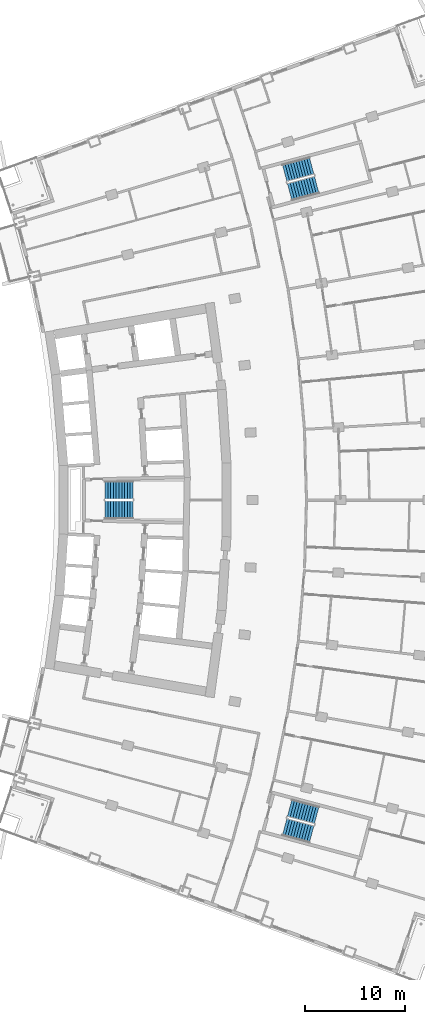
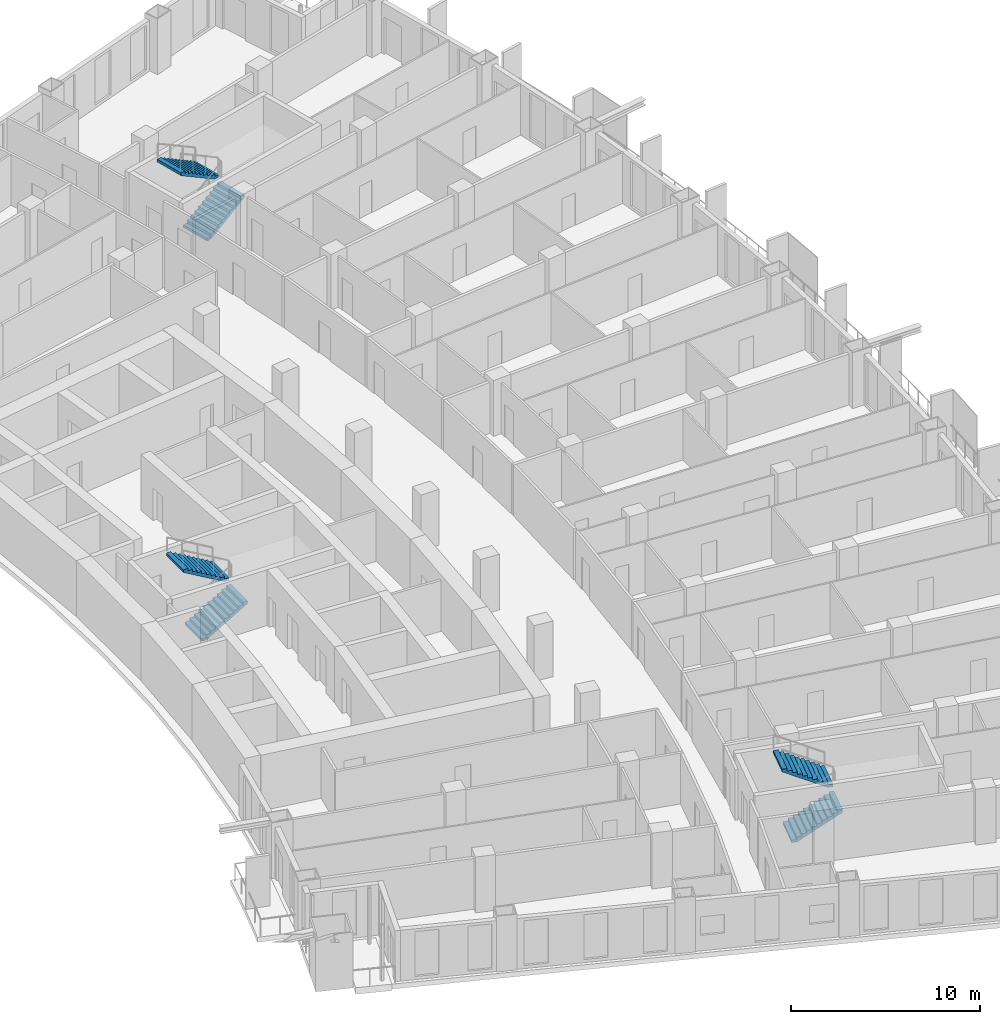
# One storey, part 20 of 23: 6 stair flights, 3 elements without a shape of their own.
"""IFC4 building model written with IfcOpenShell, lengths in metres."""

import ifcopenshell
import ifcopenshell.guid

model = None  # the IFC model being written
_history = None  # IfcOwnerHistory: only IFC2X3 demands one
_inside = {}  # id of a spatial element -> (the spatial element, [elements in it])
_under = {}  # id of a project, library or spatial element -> (it, [spatial elements below it])
_declared = {}  # id of a project -> (the project, [libraries it declares])
_typed = {}  # id of a type object -> (the type object, [elements of that type])
_made_of = {}  # id of a material, layer set ... -> (it, [elements and type objects made of it])


def new_model(schema):
    """Start an empty IFC model of exactly this schema.

    Asked for "IFC4X3", IfcOpenShell would pick the latest addendum, in which some entities
    have other attributes; the version numbers below select the first issue.
    IFC2X3 requires an IfcOwnerHistory on every rooted entity: one is made here for all.
    """
    global model, _history
    if schema == "IFC4X3":
        model = ifcopenshell.file(schema_version=(4, 3, 0, 0))
    else:
        model = ifcopenshell.file(schema=schema)
    _inside.clear()
    _under.clear()
    _declared.clear()
    _typed.clear()
    _made_of.clear()
    _history = None
    if model.schema == "IFC2X3":
        org = make("IfcOrganization", Name="unknown")
        user = make(
            "IfcPersonAndOrganization",
            ThePerson=make("IfcPerson", FamilyName="unknown"),
            TheOrganization=org,
        )
        app = make(
            "IfcApplication",
            ApplicationDeveloper=org,
            Version="unknown",
            ApplicationFullName="unknown",
            ApplicationIdentifier="unknown",
        )
        _history = make(
            "IfcOwnerHistory",
            OwningUser=user,
            OwningApplication=app,
            ChangeAction="ADDED",
            CreationDate=0,
        )
    return model


def make(cls, **values):
    """One entity of the class cls with the attributes given. An attribute that is None is left unset."""
    return model.create_entity(
        cls, **{name: value for name, value in values.items() if value is not None}
    )


def rooted(cls, **values):
    """An entity with a GlobalId (a new one), such as an element, a storey or a relation."""
    return make(cls, GlobalId=ifcopenshell.guid.new(), OwnerHistory=_history, **values)


def si_unit(unit_type, name, prefix=None):
    """IfcSIUnit, for example si_unit("LENGTHUNIT", "METRE", prefix="MILLI")."""
    return make("IfcSIUnit", UnitType=unit_type, Prefix=prefix, Name=name)


def assignment(units):
    """IfcUnitAssignment: the units of a project."""
    return None if units is None else make("IfcUnitAssignment", Units=units)


def point(xyz):
    """IfcCartesianPoint."""
    return None if xyz is None else make("IfcCartesianPoint", Coordinates=xyz)


def direction(xyz):
    """IfcDirection."""
    return None if xyz is None else make("IfcDirection", DirectionRatios=xyz)


def frame(location, z_axis=None, x_axis=None):
    """IfcAxis2Placement3D, a coordinate frame: its origin and axes. An axis left out is left unset."""
    return make(
        "IfcAxis2Placement3D",
        Location=point(location),
        Axis=direction(z_axis),
        RefDirection=direction(x_axis),
    )


def origin():
    """The frame at (0, 0, 0) with its axes left unset."""
    return frame((0.0, 0.0, 0.0))


def place(relative_to, where):
    """IfcLocalPlacement: puts the frame where relative to a parent placement (None: the world)."""
    return make(
        "IfcLocalPlacement", PlacementRelTo=relative_to, RelativePlacement=where
    )


def context(
    kind, dimensions, precision=None, world=None, true_north=None, identifier=None
):
    """IfcGeometricRepresentationContext, for example the 3D "Model" context."""
    return make(
        "IfcGeometricRepresentationContext",
        ContextIdentifier=identifier,
        ContextType=kind,
        CoordinateSpaceDimension=dimensions,
        Precision=precision,
        WorldCoordinateSystem=world,
        TrueNorth=true_north,
    )


def subcontext(parent, identifier, kind, view, scale=None):
    """IfcGeometricRepresentationSubContext, for example "Body" below "Model"."""
    return make(
        "IfcGeometricRepresentationSubContext",
        ContextIdentifier=identifier,
        ContextType=kind,
        ParentContext=parent,
        TargetScale=scale,
        TargetView=view,
    )


def project(units=None, contexts=None):
    """IfcProject with its units and contexts."""
    return rooted(
        "IfcProject",
        Name="project",
        RepresentationContexts=contexts,
        UnitsInContext=assignment(units),
    )


def spatial(cls, under=None, at=None, **own):
    """A site, building, storey or space (cls), placed at a placement, below another one or the project."""
    s = rooted(cls, ObjectPlacement=at, **own)
    if under is not None:
        _under.setdefault(under.id(), (under, []))[1].append(s)
    return s


def polyline(points):
    """IfcPolyline through the points."""
    return make("IfcPolyline", Points=[point(p) for p in points])


def outline(outer, holes=None, kind="AREA"):
    """IfcArbitraryClosedProfileDef: a profile drawn as a closed curve; with holes, ...WithVoids."""
    if holes is None:
        return make("IfcArbitraryClosedProfileDef", ProfileType=kind, OuterCurve=outer)
    return make(
        "IfcArbitraryProfileDefWithVoids",
        ProfileType=kind,
        OuterCurve=outer,
        InnerCurves=holes,
    )


def extrude(swept, where, along, depth):
    """IfcExtrudedAreaSolid: the profile swept, set in the frame where, extruded along a direction by depth."""
    return make(
        "IfcExtrudedAreaSolid",
        SweptArea=swept,
        Position=where,
        ExtrudedDirection=direction(along),
        Depth=depth,
    )


def shape(context_of_items, identifier, shape_type, items):
    """IfcShapeRepresentation: the items that make up one representation, for example the "Body"."""
    return make(
        "IfcShapeRepresentation",
        ContextOfItems=context_of_items,
        RepresentationIdentifier=identifier,
        RepresentationType=shape_type,
        Items=items,
    )


def material(Name=None, Category=None):
    """IfcMaterial."""
    return make("IfcMaterial", Name=Name, Category=Category)


def layer(
    of_material, thickness, ventilated=None, Name=None, Category=None, Priority=None
):
    """IfcMaterialLayer: one layer of a wall or slab, of a material (None: an air gap)."""
    return make(
        "IfcMaterialLayer",
        Material=of_material,
        LayerThickness=thickness,
        IsVentilated=ventilated,
        Name=Name,
        Category=Category,
        Priority=Priority,
    )


def layer_set(layers, Name=None):
    """IfcMaterialLayerSet."""
    return make("IfcMaterialLayerSet", MaterialLayers=layers, LayerSetName=Name)


def made_of(thing, what):
    """Note that an element or type object is made of a material, layer set ...; save() writes the relation."""
    if what is not None:
        _made_of.setdefault(what.id(), (what, []))[1].append(thing)
    return thing


def type_object(cls, material=None, **own):
    """A type object (cls), such as IfcWallType, which elements share."""
    return made_of(rooted(cls, **own), material)


def element(
    cls,
    number,
    at=None,
    inside=None,
    cuts=None,
    type_object=None,
    material=None,
    context=None,
    identifier="Body",
    shape_type=None,
    held_by="IfcProductDefinitionShape",
    body=None,
    shapes=None,
    **own,
):
    """One element of the class cls, such as IfcWall. Its Tag is "e" and its number.

    at: its placement. inside: the storey or other place that contains it. cuts: it is an
    opening in that element (IfcRelVoidsElement). A single representation is given by context,
    identifier, shape_type and body (its items); several are given by shapes. held_by: the class
    of the entity that holds the representations. save() writes the other relations.
    """
    e = rooted(cls, Tag="e%d" % number, ObjectPlacement=at, **own)
    if body is not None:
        shapes = [shape(context, identifier, shape_type, body)]
    if shapes is not None:
        e.Representation = make(held_by, Representations=shapes)
    if inside is not None:
        _inside.setdefault(inside.id(), (inside, []))[1].append(e)
    if cuts is not None:
        rooted(
            "IfcRelVoidsElement", RelatingBuildingElement=cuts, RelatedOpeningElement=e
        )
    if type_object is not None:
        _typed.setdefault(type_object.id(), (type_object, []))[1].append(e)
    return made_of(e, material)


def aggregate(whole, parts):
    """IfcRelAggregates: a whole, such as a stair, and the parts it consists of."""
    return rooted("IfcRelAggregates", RelatingObject=whole, RelatedObjects=parts)


def save(model, path):
    """Write the relations noted so far, then the file.

    IfcRelAggregates (storeys below a building ...), IfcRelContainedInSpatialStructure (elements
    in a storey), IfcRelDefinesByType, IfcRelAssociatesMaterial and IfcRelDeclares: one each for
    every whole, place, type object, material and project.
    """
    for whole, parts in _under.values():
        aggregate(whole, parts)
    for where, things in _inside.values():
        rooted(
            "IfcRelContainedInSpatialStructure",
            RelatedElements=things,
            RelatingStructure=where,
        )
    for kind, things in _typed.values():
        rooted("IfcRelDefinesByType", RelatedObjects=things, RelatingType=kind)
    for what, things in _made_of.values():
        rooted("IfcRelAssociatesMaterial", RelatedObjects=things, RelatingMaterial=what)
    for by, libraries in _declared.values():
        rooted("IfcRelDeclares", RelatingContext=by, RelatedDefinitions=libraries)
    model.write(path)


model = new_model("IFC4")

# Units and contexts
model_context = context("Model", 3, precision=1e-05, world=origin(), true_north=direction((0.0, 1.0)))
body_context = subcontext(model_context, "Body", "Model", "MODEL_VIEW")
ifc_project = project(units=[si_unit("LENGTHUNIT", "METRE"), si_unit("AREAUNIT", "SQUARE_METRE"), si_unit("VOLUMEUNIT", "CUBIC_METRE"), si_unit("PLANEANGLEUNIT", "RADIAN"), si_unit("MASSUNIT", "GRAM", prefix="KILO")], contexts=[model_context])

# Site, building, storey
site_placement = place(None, origin())
site = spatial("IfcSite", under=ifc_project, at=site_placement, CompositionType="ELEMENT")
building_placement = place(site_placement, origin())
building = spatial("IfcBuilding", under=site, at=building_placement, Name="Alderwake Tower", CompositionType="ELEMENT")
storey_placement = place(building_placement, frame((0.0, 0.0, 71.60009765625)))
storey = spatial("IfcBuildingStorey", under=building, at=storey_placement, Name="L17", CompositionType="ELEMENT", Elevation=71.60009765625)

# Stair, stair flights
ifc_material_1 = material(Name="Concrete C40/50", Category="concrete")
stair_type = type_object("IfcStairType", Name="Core exit stair", PredefinedType="HALF_TURN_STAIR", material=ifc_material_1)
stair_1_placement = place(storey_placement, origin())
stair_1 = element("IfcStair", 1, at=stair_1_placement, inside=storey, type_object=stair_type, Name="L17 Exit Stair B", PredefinedType="HALF_TURN_STAIR")
ifc_material_2 = material(Name="Concrete C40/50", Category="concrete")
ifc_layer = layer(ifc_material_2, 0.14990234375)
ifc_layer_set = layer_set([ifc_layer], Name="Core stair flight")
stair_flight_type = type_object("IfcStairFlightType", Name="Core stair flight", PredefinedType="STRAIGHT", material=ifc_layer_set)
stair_flight_1_placement = place(storey_placement, frame((21.0400390625, 60.02490234375, 0.0), z_axis=(0.0, 0.0, 1.0), x_axis=(1.0, 0.0, 0.0)))
stair_flight_1 = element("IfcStairFlight", 2, at=stair_flight_1_placement, type_object=stair_flight_type, Name="ST-B flight 1", NumberOfRisers=11, NumberOfTreads=10, PredefinedType="STRAIGHT", RiserHeight=0.163636364, TreadLength=0.28, context=body_context, shape_type="SweptSolid", body=[
    extrude(outline(polyline([(0.0, 0.0), (0.0, 0.16357421875), (0.280029296875, 0.16357421875), (0.280029296875, 0.327392578125), (0.56005859375, 0.327392578125), (0.56005859375, 0.490966796875), (0.840087890625, 0.490966796875), (0.840087890625, 0.654541015625), (1.1201171875, 0.654541015625), (1.1201171875, 0.818115234375), (1.39990234375, 0.818115234375), (1.39990234375, 0.98193359375), (1.679931640625, 0.98193359375), (1.679931640625, 1.1455078125), (1.9599609375, 1.1455078125), (1.9599609375, 1.30908203125), (2.239990234375, 1.30908203125), (2.239990234375, 1.47265625), (2.52001953125, 1.47265625), (2.52001953125, 1.636474609375), (2.800048828125, 1.636474609375), (2.800048828125, 1.800048828125), (2.800048828125, 1.462646484375), (0.297119140625, 0.0), (0.0, 0.0)])), frame((0.0, 0.89990234375, 0.0), z_axis=(0.0, -1.0, 0.0), x_axis=(1.0, 0.0, 0.0)), (0.0, 0.0, 1.0), 1.800048828125),
])
stair_flight_2_placement = place(storey_placement, frame((23.840087890625, 61.97509765625, 1.7998046875), z_axis=(0.0, 0.0, 1.0), x_axis=(-1.0, 0.0, 0.0)))
stair_flight_2 = element("IfcStairFlight", 3, at=stair_flight_2_placement, type_object=stair_flight_type, Name="ST-B flight 2", NumberOfRisers=11, NumberOfTreads=10, PredefinedType="STRAIGHT", RiserHeight=0.163636364, TreadLength=0.28, context=body_context, shape_type="SweptSolid", body=[
    extrude(outline(polyline([(0.0, 0.0), (0.0, 0.16357421875), (0.280029296875, 0.16357421875), (0.280029296875, 0.327392578125), (0.56005859375, 0.327392578125), (0.56005859375, 0.490966796875), (0.840087890625, 0.490966796875), (0.840087890625, 0.654541015625), (1.1201171875, 0.654541015625), (1.1201171875, 0.818115234375), (1.39990234375, 0.818115234375), (1.39990234375, 0.98193359375), (1.679931640625, 0.98193359375), (1.679931640625, 1.1455078125), (1.9599609375, 1.1455078125), (1.9599609375, 1.30908203125), (2.239990234375, 1.30908203125), (2.239990234375, 1.47265625), (2.52001953125, 1.47265625), (2.52001953125, 1.636474609375), (2.800048828125, 1.636474609375), (2.800048828125, 1.800048828125), (2.800048828125, 1.462646484375), (0.297119140625, 0.0), (0.0, 0.0)])), frame((0.0, 0.89990234375, 0.0), z_axis=(0.0, -1.0, 0.0), x_axis=(1.0, 0.0, 0.0)), (0.0, 0.0, 1.0), 1.800048828125),
])
aggregate(stair_1, [stair_flight_1, stair_flight_2])

stair_2_placement = place(storey_placement, origin())
stair_2 = element("IfcStair", 4, at=stair_2_placement, inside=storey, type_object=stair_type, Name="L17 Exit Stair A", PredefinedType="HALF_TURN_STAIR")
stair_flight_3_placement = place(storey_placement, frame((39.512939453125, 91.823974609375, 0.0), z_axis=(0.0, 0.0, 1.0), x_axis=(0.966309627437, 0.257382407951, 0.0)))
stair_flight_3 = element("IfcStairFlight", 5, at=stair_flight_3_placement, type_object=stair_flight_type, Name="ST-A flight 1", NumberOfRisers=11, NumberOfTreads=10, PredefinedType="STRAIGHT", RiserHeight=0.163636364, TreadLength=0.28, context=body_context, shape_type="SweptSolid", body=[
    extrude(outline(polyline([(0.0, 0.0), (0.0, 0.16357421875), (0.280029296875, 0.16357421875), (0.280029296875, 0.327392578125), (0.56005859375, 0.327392578125), (0.56005859375, 0.490966796875), (0.840087890625, 0.490966796875), (0.840087890625, 0.654541015625), (1.1201171875, 0.654541015625), (1.1201171875, 0.818115234375), (1.39990234375, 0.818115234375), (1.39990234375, 0.98193359375), (1.679931640625, 0.98193359375), (1.679931640625, 1.1455078125), (1.9599609375, 1.1455078125), (1.9599609375, 1.30908203125), (2.239990234375, 1.30908203125), (2.239990234375, 1.47265625), (2.52001953125, 1.47265625), (2.52001953125, 1.636474609375), (2.800048828125, 1.636474609375), (2.800048828125, 1.800048828125), (2.800048828125, 1.462646484375), (0.297119140625, 0.0), (0.0, 0.0)])), frame((0.0, 0.89990234375, 0.0), z_axis=(0.0, -1.0, 0.0), x_axis=(1.0, 0.0, 0.0)), (0.0, 0.0, 1.0), 1.800048828125),
])
stair_flight_4_placement = place(storey_placement, frame((41.716796875, 94.428955078125, 1.7998046875), z_axis=(0.0, 0.0, 1.0), x_axis=(-0.966309627437, -0.257382407951, 0.0)))
stair_flight_4 = element("IfcStairFlight", 6, at=stair_flight_4_placement, type_object=stair_flight_type, Name="ST-A flight 2", NumberOfRisers=11, NumberOfTreads=10, PredefinedType="STRAIGHT", RiserHeight=0.163636364, TreadLength=0.28, context=body_context, shape_type="SweptSolid", body=[
    extrude(outline(polyline([(0.0, 0.0), (0.0, 0.16357421875), (0.280029296875, 0.16357421875), (0.280029296875, 0.327392578125), (0.56005859375, 0.327392578125), (0.56005859375, 0.490966796875), (0.840087890625, 0.490966796875), (0.840087890625, 0.654541015625), (1.1201171875, 0.654541015625), (1.1201171875, 0.818115234375), (1.39990234375, 0.818115234375), (1.39990234375, 0.98193359375), (1.679931640625, 0.98193359375), (1.679931640625, 1.1455078125), (1.9599609375, 1.1455078125), (1.9599609375, 1.30908203125), (2.239990234375, 1.30908203125), (2.239990234375, 1.47265625), (2.52001953125, 1.47265625), (2.52001953125, 1.636474609375), (2.800048828125, 1.636474609375), (2.800048828125, 1.800048828125), (2.800048828125, 1.462646484375), (0.297119140625, 0.0), (0.0, 0.0)])), frame((0.0, 0.89990234375, 0.0), z_axis=(0.0, -1.0, 0.0), x_axis=(1.0, 0.0, 0.0)), (0.0, 0.0, 1.0), 1.800048828125),
])
aggregate(stair_2, [stair_flight_3, stair_flight_4])

stair_3_placement = place(storey_placement, origin())
stair_3 = element("IfcStair", 7, at=stair_3_placement, inside=storey, type_object=stair_type, Name="L17 Exit Stair C", PredefinedType="HALF_TURN_STAIR")
stair_flight_5_placement = place(storey_placement, frame((39.010986328125, 28.291748046875, 0.0), z_axis=(0.0, 0.0, 1.0), x_axis=(0.966309627437, -0.257382407951, 0.0)))
stair_flight_5 = element("IfcStairFlight", 8, at=stair_flight_5_placement, type_object=stair_flight_type, Name="ST-C flight 1", NumberOfRisers=11, NumberOfTreads=10, PredefinedType="STRAIGHT", RiserHeight=0.163636364, TreadLength=0.28, context=body_context, shape_type="SweptSolid", body=[
    extrude(outline(polyline([(0.0, 0.0), (0.0, 0.16357421875), (0.280029296875, 0.16357421875), (0.280029296875, 0.327392578125), (0.56005859375, 0.327392578125), (0.56005859375, 0.490966796875), (0.840087890625, 0.490966796875), (0.840087890625, 0.654541015625), (1.1201171875, 0.654541015625), (1.1201171875, 0.818115234375), (1.39990234375, 0.818115234375), (1.39990234375, 0.98193359375), (1.679931640625, 0.98193359375), (1.679931640625, 1.1455078125), (1.9599609375, 1.1455078125), (1.9599609375, 1.30908203125), (2.239990234375, 1.30908203125), (2.239990234375, 1.47265625), (2.52001953125, 1.47265625), (2.52001953125, 1.636474609375), (2.800048828125, 1.636474609375), (2.800048828125, 1.800048828125), (2.800048828125, 1.462646484375), (0.297119140625, 0.0), (0.0, 0.0)])), frame((0.0, 0.89990234375, 0.0), z_axis=(0.0, -1.0, 0.0), x_axis=(1.0, 0.0, 0.0)), (0.0, 0.0, 1.0), 1.800048828125),
])
stair_flight_6_placement = place(storey_placement, frame((42.218505859375, 29.455322265625, 1.7998046875), z_axis=(0.0, 0.0, 1.0), x_axis=(-0.966309627437, 0.257382407951, 0.0)))
stair_flight_6 = element("IfcStairFlight", 9, at=stair_flight_6_placement, type_object=stair_flight_type, Name="ST-C flight 2", NumberOfRisers=11, NumberOfTreads=10, PredefinedType="STRAIGHT", RiserHeight=0.163636364, TreadLength=0.28, context=body_context, shape_type="SweptSolid", body=[
    extrude(outline(polyline([(0.0, 0.0), (0.0, 0.16357421875), (0.280029296875, 0.16357421875), (0.280029296875, 0.327392578125), (0.56005859375, 0.327392578125), (0.56005859375, 0.490966796875), (0.840087890625, 0.490966796875), (0.840087890625, 0.654541015625), (1.1201171875, 0.654541015625), (1.1201171875, 0.818115234375), (1.39990234375, 0.818115234375), (1.39990234375, 0.98193359375), (1.679931640625, 0.98193359375), (1.679931640625, 1.1455078125), (1.9599609375, 1.1455078125), (1.9599609375, 1.30908203125), (2.239990234375, 1.30908203125), (2.239990234375, 1.47265625), (2.52001953125, 1.47265625), (2.52001953125, 1.636474609375), (2.800048828125, 1.636474609375), (2.800048828125, 1.800048828125), (2.800048828125, 1.462646484375), (0.297119140625, 0.0), (0.0, 0.0)])), frame((0.0, 0.89990234375, 0.0), z_axis=(0.0, -1.0, 0.0), x_axis=(1.0, 0.0, 0.0)), (0.0, 0.0, 1.0), 1.800048828125),
])
aggregate(stair_3, [stair_flight_5, stair_flight_6])

save(model, "model.ifc")
